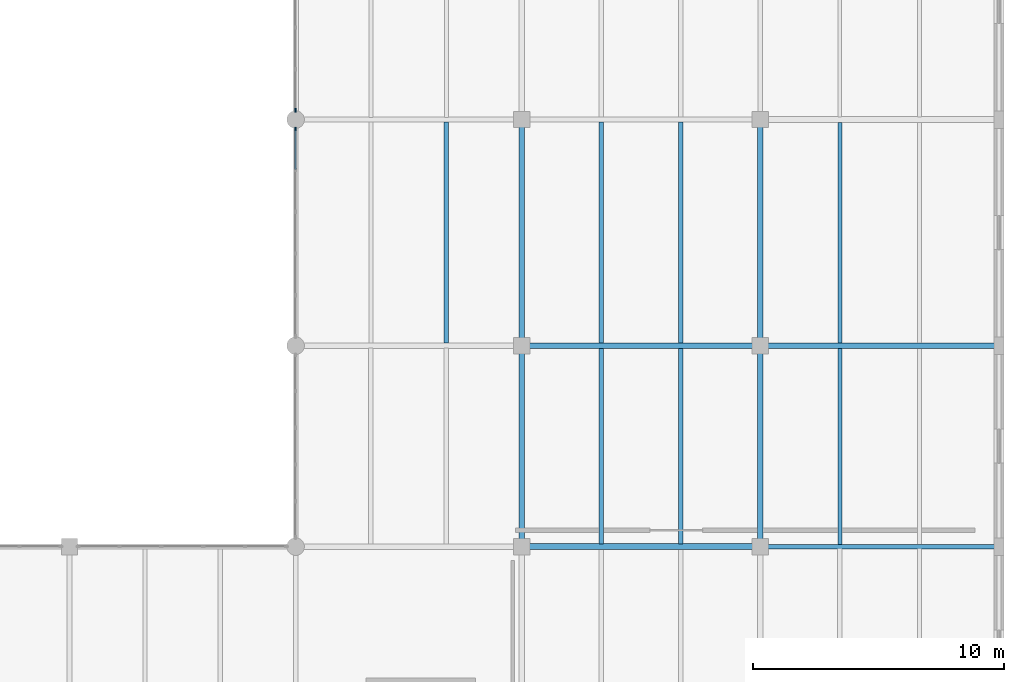
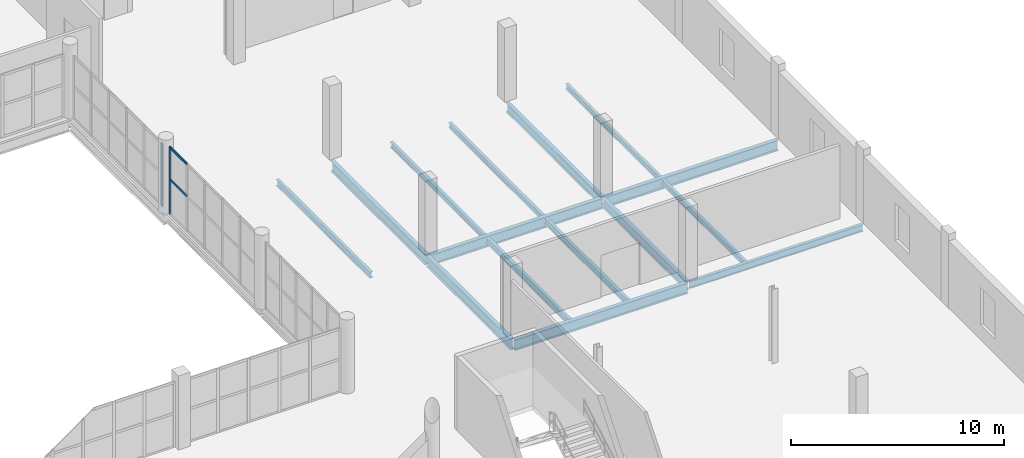
# One storey, part 46 of 85: 15 beams, 4 members, 2 elements without a shape of their own.
"""IFC4 building model written with IfcOpenShell, lengths in metres."""

from ifc_helpers import new_model, si_unit, direction, frame, origin, origin_2d, place, context, subcontext, project, spatial, rectangle, i_section, extrude, material, layer, layer_set, material_profile, profile_set, type_object, element, aggregate, save


model = new_model("IFC4")

# Units and contexts
model_context = context("Model", 3, precision=1e-05, world=origin(), true_north=direction((0.0, 1.0)))
body_context = subcontext(model_context, "Body", "Model", "MODEL_VIEW")
ifc_project = project(units=[si_unit("LENGTHUNIT", "METRE"), si_unit("AREAUNIT", "SQUARE_METRE"), si_unit("VOLUMEUNIT", "CUBIC_METRE"), si_unit("PLANEANGLEUNIT", "RADIAN"), si_unit("MASSUNIT", "GRAM", prefix="KILO")], contexts=[model_context])

# Site, building, storey
site_placement = place(None, origin())
site = spatial("IfcSite", under=ifc_project, at=site_placement, CompositionType="ELEMENT")
building_placement = place(site_placement, origin())
building = spatial("IfcBuilding", under=site, at=building_placement, Name="Marnock Terrace Opera House", CompositionType="ELEMENT")
storey_placement = place(building_placement, frame((0.0, 0.0, 10.199951171875)))
storey = spatial("IfcBuildingStorey", under=building, at=storey_placement, Name="L02", CompositionType="ELEMENT", Elevation=10.199951171875)

# Beams
ifc_material_1 = material(Name="Steel Grade 350 (AS/NZS 3679.1)", Category="steel")
ifc_material_profile_1 = material_profile(ifc_material_1, i_section(OverallWidth=0.177978515625, OverallDepth=0.402587890625, WebThickness=0.007568359375, FlangeThickness=0.010986328125, FilletRadius=0.011474609375, at=origin_2d()))
ifc_profile_set_1 = profile_set([ifc_material_profile_1], Name="Steel Grade 350 (AS/NZS 3679.1)")
beam_type_1 = type_object("IfcBeamType", Name="BM-GIRD-410", PredefinedType="BEAM", material=ifc_profile_set_1)
beam_1_placement = place(storey_placement, frame((154.550048828125, 40.0, -0.461181640625), z_axis=(1.0, 0.0, 0.0), x_axis=(0.0, 1.0, 0.0)))
element("IfcBeam", 1, at=beam_1_placement, inside=storey, type_object=beam_type_1, Name="L02 girder (154.5..164.0, Y=40.0)", PredefinedType="BEAM", context=body_context, shape_type="SweptSolid", body=[
    extrude(i_section(OverallWidth=0.177978515625, OverallDepth=0.402587890625, WebThickness=0.007568359375, FlangeThickness=0.010986328125, FilletRadius=0.011474609375, at=origin_2d()), origin(), (0.0, 0.0, 1.0), 9.39990234375),
])
ifc_material_profile_2 = material_profile(ifc_material_1, i_section(OverallWidth=0.208984375, OverallDepth=0.528076171875, WebThickness=0.009521484375, FlangeThickness=0.01318359375, FilletRadius=0.013916015625, at=origin_2d()))
ifc_profile_set_2 = profile_set([ifc_material_profile_2], Name="Steel Grade 350 (AS/NZS 3679.1)")
beam_type_2 = type_object("IfcBeamType", Name="BM-GIRD-530B", PredefinedType="BEAM", material=ifc_profile_set_2)
beam_2_placement = place(storey_placement, frame((154.5, 40.050048828125, -0.52392578125), z_axis=(0.0, 1.0, 0.0), x_axis=(-1.0, 0.0, 0.0)))
element("IfcBeam", 2, at=beam_2_placement, inside=storey, type_object=beam_type_2, Name="L02 girder (X=154.5, 40.0..48.0)", PredefinedType="BEAM", context=body_context, shape_type="SweptSolid", body=[
    extrude(i_section(OverallWidth=0.208984375, OverallDepth=0.528076171875, WebThickness=0.009521484375, FlangeThickness=0.01318359375, FilletRadius=0.013916015625, at=origin_2d()), origin(), (0.0, 0.0, 1.0), 7.89990234375),
])
beam_3_placement = place(storey_placement, frame((154.5, 48.050048828125, -0.52392578125), z_axis=(0.0, 1.0, 0.0), x_axis=(-1.0, 0.0, 0.0)))
element("IfcBeam", 3, at=beam_3_placement, inside=storey, type_object=beam_type_2, Name="L02 girder (X=154.5, 48.0..57.0)", PredefinedType="BEAM", context=body_context, shape_type="SweptSolid", body=[
    extrude(i_section(OverallWidth=0.208984375, OverallDepth=0.528076171875, WebThickness=0.009521484375, FlangeThickness=0.01318359375, FilletRadius=0.013916015625, at=origin_2d()), origin(), (0.0, 0.0, 1.0), 8.89990234375),
])
ifc_material_profile_3 = material_profile(ifc_material_1, i_section(OverallWidth=0.22900390625, OverallDepth=0.611572265625, WebThickness=0.011962890625, FlangeThickness=0.01953125, FilletRadius=0.013916015625, at=origin_2d()))
ifc_profile_set_3 = profile_set([ifc_material_profile_3], Name="Steel Grade 350 (AS/NZS 3679.1)")
beam_type_3 = type_object("IfcBeamType", Name="BM-GIRD-610A", PredefinedType="BEAM", material=ifc_profile_set_3)
for number, where, z_axis, x_axis, name in (
    (4, (145.050048828125, 40.0, -0.565673828125), (1.0, 0.0, 0.0), (0.0, 1.0, 0.0), "L02 girder (145.0..154.5, Y=40.0)"),
    (5, (154.550048828125, 48.0, -0.565673828125), (1.0, 0.0, 0.0), (0.0, 1.0, 0.0), "L02 girder (154.5..164.0, Y=48.0)"),
):
    element("IfcBeam", number, at=place(storey_placement, frame(where, z_axis=z_axis, x_axis=x_axis)), inside=storey, type_object=beam_type_3, Name=name, PredefinedType="BEAM", context=body_context, shape_type="SweptSolid", body=[
        extrude(i_section(OverallWidth=0.22900390625, OverallDepth=0.611572265625, WebThickness=0.011962890625, FlangeThickness=0.01953125, FilletRadius=0.013916015625, at=origin_2d()), origin(), (0.0, 0.0, 1.0), 9.39990234375),
    ])
ifc_material_profile_4 = material_profile(ifc_material_1, i_section(OverallWidth=0.22802734375, OverallDepth=0.60693359375, WebThickness=0.01123046875, FlangeThickness=0.017333984375, FilletRadius=0.013916015625, at=origin_2d()))
ifc_profile_set_4 = profile_set([ifc_material_profile_4], Name="Steel Grade 350 (AS/NZS 3679.1)")
beam_type_4 = type_object("IfcBeamType", Name="BM-GIRD-610B", PredefinedType="BEAM", material=ifc_profile_set_4)
beam_4_placement = place(storey_placement, frame((145.050048828125, 48.0, -0.5634765625), z_axis=(1.0, 0.0, 0.0), x_axis=(0.0, 1.0, 0.0)))
element("IfcBeam", 6, at=beam_4_placement, inside=storey, type_object=beam_type_4, Name="L02 girder (145.0..154.5, Y=48.0)", PredefinedType="BEAM", context=body_context, shape_type="SweptSolid", body=[
    extrude(i_section(OverallWidth=0.22802734375, OverallDepth=0.60693359375, WebThickness=0.01123046875, FlangeThickness=0.017333984375, FilletRadius=0.013916015625, at=origin_2d()), origin(), (0.0, 0.0, 1.0), 9.39990234375),
])
ifc_material_profile_5 = material_profile(ifc_material_1, i_section(OverallWidth=0.22802734375, OverallDepth=0.60205078125, WebThickness=0.010498046875, FlangeThickness=0.014892578125, FilletRadius=0.013916015625, at=origin_2d()))
ifc_profile_set_5 = profile_set([ifc_material_profile_5], Name="Steel Grade 350 (AS/NZS 3679.1)")
beam_type_5 = type_object("IfcBeamType", Name="BM-GIRD-610C", PredefinedType="BEAM", material=ifc_profile_set_5)
beam_5_placement = place(storey_placement, frame((145.0, 40.050048828125, -0.56103515625), z_axis=(0.0, 1.0, 0.0), x_axis=(-1.0, 0.0, 0.0)))
element("IfcBeam", 7, at=beam_5_placement, inside=storey, type_object=beam_type_5, Name="L02 girder (X=145.0, 40.0..48.0)", PredefinedType="BEAM", context=body_context, shape_type="SweptSolid", body=[
    extrude(i_section(OverallWidth=0.22802734375, OverallDepth=0.60205078125, WebThickness=0.010498046875, FlangeThickness=0.014892578125, FilletRadius=0.013916015625, at=origin_2d()), origin(), (0.0, 0.0, 1.0), 7.89990234375),
])
beam_6_placement = place(storey_placement, frame((145.0, 48.050048828125, -0.56103515625), z_axis=(0.0, 1.0, 0.0), x_axis=(-1.0, 0.0, 0.0)))
element("IfcBeam", 8, at=beam_6_placement, inside=storey, type_object=beam_type_5, Name="L02 girder (X=145.0, 48.0..57.0)", PredefinedType="BEAM", context=body_context, shape_type="SweptSolid", body=[
    extrude(i_section(OverallWidth=0.22802734375, OverallDepth=0.60205078125, WebThickness=0.010498046875, FlangeThickness=0.014892578125, FilletRadius=0.013916015625, at=origin_2d()), origin(), (0.0, 0.0, 1.0), 8.89990234375),
])
ifc_material_profile_6 = material_profile(ifc_material_1, i_section(OverallWidth=0.166015625, OverallDepth=0.30712890625, WebThickness=0.006591796875, FlangeThickness=0.01171875, FilletRadius=0.011474609375, at=origin_2d()))
ifc_profile_set_6 = profile_set([ifc_material_profile_6], Name="Steel Grade 350 (AS/NZS 3679.1)")
beam_type_6 = type_object("IfcBeamType", Name="BM-JOIST-310A", PredefinedType="JOIST", material=ifc_profile_set_6)
for number, where, z_axis, x_axis, name in (
    (9, (148.166748046875, 48.10888671875, -0.41357421875), (0.0, 1.0, 0.0), (-1.0, 0.0, 0.0), "L02 secondary joist 16.6.1"),
    (10, (151.333251953125, 48.10888671875, -0.41357421875), (0.0, 1.0, 0.0), (-1.0, 0.0, 0.0), "L02 secondary joist 16.6.2"),
):
    element("IfcBeam", number, at=place(storey_placement, frame(where, z_axis=z_axis, x_axis=x_axis)), inside=storey, type_object=beam_type_6, Name=name, PredefinedType="JOIST", context=body_context, shape_type="SweptSolid", body=[
        extrude(i_section(OverallWidth=0.166015625, OverallDepth=0.30712890625, WebThickness=0.006591796875, FlangeThickness=0.01171875, FilletRadius=0.011474609375, at=origin_2d()), origin(), (0.0, 0.0, 1.0), 8.79150390625),
    ])
beam_7_placement = place(storey_placement, frame((157.666748046875, 40.083984375, -0.41357421875), z_axis=(0.0, 1.0, 0.0), x_axis=(-1.0, 0.0, 0.0)))
element("IfcBeam", 11, at=beam_7_placement, inside=storey, type_object=beam_type_6, Name="L02 secondary joist 17.5.1", PredefinedType="JOIST", context=body_context, shape_type="SweptSolid", body=[
    extrude(i_section(OverallWidth=0.166015625, OverallDepth=0.30712890625, WebThickness=0.006591796875, FlangeThickness=0.01171875, FilletRadius=0.011474609375, at=origin_2d()), origin(), (0.0, 0.0, 1.0), 7.806396484375),
])
ifc_material_profile_7 = material_profile(ifc_material_1, i_section(OverallWidth=0.1650390625, OverallDepth=0.3037109375, WebThickness=0.006103515625, FlangeThickness=0.01025390625, FilletRadius=0.011474609375, at=origin_2d()))
ifc_profile_set_7 = profile_set([ifc_material_profile_7], Name="Steel Grade 350 (AS/NZS 3679.1)")
beam_type_7 = type_object("IfcBeamType", Name="BM-JOIST-310B", PredefinedType="JOIST", material=ifc_profile_set_7)
beam_8_placement = place(storey_placement, frame((157.666748046875, 48.109619140625, -0.411865234375), z_axis=(0.0, 1.0, 0.0), x_axis=(-1.0, 0.0, 0.0)))
element("IfcBeam", 12, at=beam_8_placement, inside=storey, type_object=beam_type_7, Name="L02 secondary joist 17.6.1", PredefinedType="JOIST", context=body_context, shape_type="SweptSolid", body=[
    extrude(i_section(OverallWidth=0.1650390625, OverallDepth=0.3037109375, WebThickness=0.006103515625, FlangeThickness=0.01025390625, FilletRadius=0.011474609375, at=origin_2d()), origin(), (0.0, 0.0, 1.0), 8.781494140625),
])
ifc_material_profile_8 = material_profile(ifc_material_1, i_section(OverallWidth=0.172119140625, OverallDepth=0.358642578125, WebThickness=0.008056640625, FlangeThickness=0.012939453125, FilletRadius=0.011474609375, at=origin_2d()))
ifc_profile_set_8 = profile_set([ifc_material_profile_8], Name="Steel Grade 350 (AS/NZS 3679.1)")
beam_type_8 = type_object("IfcBeamType", Name="BM-JOIST-360", PredefinedType="JOIST", material=ifc_profile_set_8)
beam_9_placement = place(storey_placement, frame((142.0, 48.099609375, -0.439208984375), z_axis=(0.0, 1.0, 0.0), x_axis=(-1.0, 0.0, 0.0)))
element("IfcBeam", 13, at=beam_9_placement, inside=storey, type_object=beam_type_8, Name="L02 secondary joist 15.6.2", PredefinedType="JOIST", context=body_context, shape_type="SweptSolid", body=[
    extrude(i_section(OverallWidth=0.172119140625, OverallDepth=0.358642578125, WebThickness=0.008056640625, FlangeThickness=0.012939453125, FilletRadius=0.011474609375, at=origin_2d()), origin(), (0.0, 0.0, 1.0), 8.809814453125),
])
for number, where, z_axis, x_axis, name in (
    (14, (148.166748046875, 40.109619140625, -0.439208984375), (0.0, 1.0, 0.0), (-1.0, 0.0, 0.0), "L02 secondary joist 16.5.1"),
    (15, (151.333251953125, 40.109619140625, -0.439208984375), (0.0, 1.0, 0.0), (-1.0, 0.0, 0.0), "L02 secondary joist 16.5.2"),
):
    element("IfcBeam", number, at=place(storey_placement, frame(where, z_axis=z_axis, x_axis=x_axis)), inside=storey, type_object=beam_type_8, Name=name, PredefinedType="JOIST", context=body_context, shape_type="SweptSolid", body=[
        extrude(i_section(OverallWidth=0.172119140625, OverallDepth=0.358642578125, WebThickness=0.008056640625, FlangeThickness=0.012939453125, FilletRadius=0.011474609375, at=origin_2d()), origin(), (0.0, 0.0, 1.0), 7.781494140625),
    ])

# Curtain wall, member
ifc_material_2 = material(Name="Anodised architectural bronze aluminium framing", Category="aluminium")
ifc_layer = layer(ifc_material_2, 0.159912109375)
ifc_layer_set = layer_set([ifc_layer], Name="Anodised architectural bronze aluminium framing")
curtain_wall_type = type_object("IfcCurtainWallType", Name="CW-LOGGIA-86x42", PredefinedType="NOTDEFINED", material=ifc_layer_set)
curtain_wall_1_placement = place(storey_placement, origin())
curtain_wall_1 = element("IfcCurtainWall", 16, at=curtain_wall_1_placement, inside=storey, type_object=curtain_wall_type, Name="L02 glazed Beaux-Arts colonnade curtain wall CW-V5-L02-CE2", PredefinedType="NOTDEFINED")
ifc_material_profile_9 = material_profile(ifc_material_2, rectangle(XDim=0.06005859375, YDim=0.14990234375, at=origin_2d()))
ifc_profile_set_9 = profile_set([ifc_material_profile_9], Name="Anodised architectural bronze aluminium framing")
member_type_1 = type_object("IfcMemberType", Name="CWM-60x150", PredefinedType="MULLION", material=ifc_profile_set_9)
member_1_placement = place(storey_placement, frame((136.0, 56.6240234375, 0.0), z_axis=(0.0, 0.0, 1.0), x_axis=(-1.0, 0.0, 0.0)))
member_1 = element("IfcMember", 17, at=member_1_placement, type_object=member_type_1, Name="CW-66 mullion 6", PredefinedType="MULLION", context=body_context, shape_type="SweptSolid", body=[
    extrude(rectangle(XDim=0.06005859375, YDim=0.14990234375, at=origin_2d()), origin(), (0.0, 0.0, 1.0), 3.8544921875),
])

curtain_wall_2_placement = place(storey_placement, origin())
curtain_wall_2 = element("IfcCurtainWall", 18, at=curtain_wall_2_placement, inside=storey, type_object=curtain_wall_type, Name="L02 glazed Beaux-Arts colonnade curtain wall CW-V5-L02-CE3", PredefinedType="NOTDEFINED")
member_2_placement = place(storey_placement, frame((136.0, 57.3759765625, 0.0), z_axis=(0.0, 0.0, 1.0), x_axis=(-1.0, 0.0, 0.0)))
member_2 = element("IfcMember", 19, at=member_2_placement, type_object=member_type_1, Name="CW-66 mullion 1", PredefinedType="MULLION", context=body_context, shape_type="SweptSolid", body=[
    extrude(rectangle(XDim=0.06005859375, YDim=0.14990234375, at=origin_2d()), origin(), (0.0, 0.0, 1.0), 3.608154296875),
])
aggregate(curtain_wall_2, [member_2])

# Member
ifc_material_profile_10 = material_profile(ifc_material_2, rectangle(XDim=0.06005859375, YDim=0.1298828125, at=origin_2d()))
ifc_profile_set_10 = profile_set([ifc_material_profile_10], Name="Anodised architectural bronze aluminium framing")
member_type_2 = type_object("IfcMemberType", Name="CWT-60x130", PredefinedType="USERDEFINED", material=ifc_profile_set_10)
member_3_placement = place(storey_placement, frame((136.0, 55.0224609375, 2.00439453125), z_axis=(0.0, 1.0, 0.0), x_axis=(-1.0, 0.0, 0.0)))
member_3 = element("IfcMember", 20, at=member_3_placement, type_object=member_type_2, Name="CW-66 transom 5.2", ObjectType="TRANSOM", PredefinedType="USERDEFINED", context=body_context, shape_type="SweptSolid", body=[
    extrude(rectangle(XDim=0.06005859375, YDim=0.1298828125, at=origin_2d()), origin(), (0.0, 0.0, 1.0), 1.571533203125),
])

member_4_placement = place(storey_placement, frame((136.0, 55.0224609375, 3.824462890625), z_axis=(0.0, 1.0, 0.0), x_axis=(-1.0, 0.0, 0.0)))
member_4 = element("IfcMember", 21, at=member_4_placement, type_object=member_type_2, Name="CW-66 transom 5.3", ObjectType="TRANSOM", PredefinedType="USERDEFINED", context=body_context, shape_type="SweptSolid", body=[
    extrude(rectangle(XDim=0.06005859375, YDim=0.1298828125, at=origin_2d()), origin(), (0.0, 0.0, 1.0), 1.571533203125),
])

aggregate(curtain_wall_1, [member_1, member_3, member_4])

save(model, "model.ifc")
